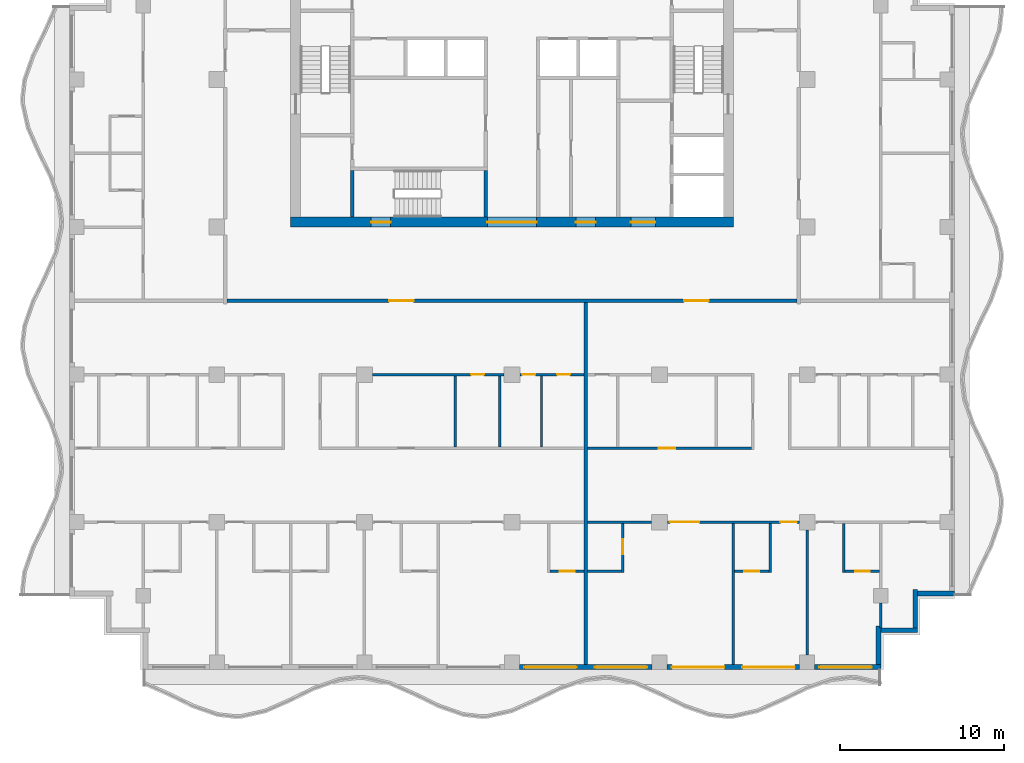
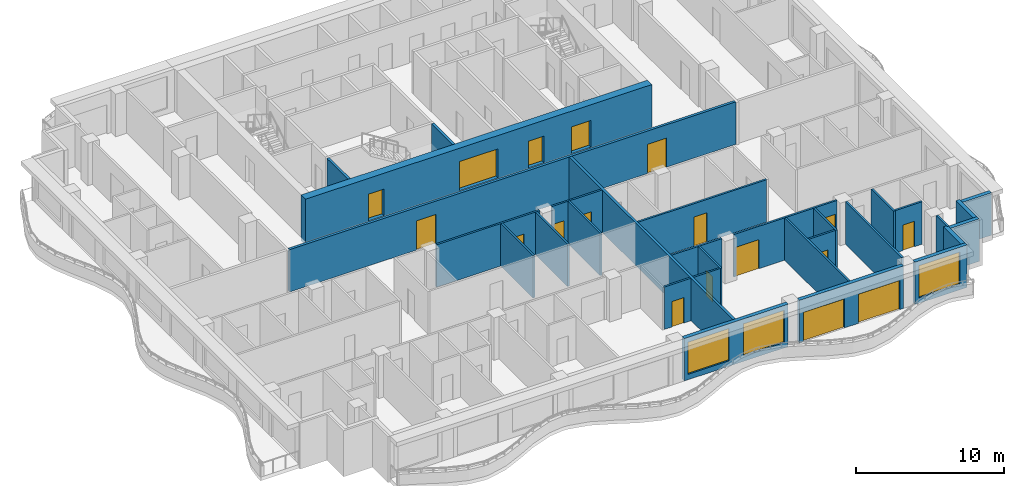
# One storey, part 3 of 11: 30 walls, 18 doors, 3 windows, 21 openings.
"""IFC4 building model written with IfcOpenShell, lengths in metres."""

from ifc_helpers import new_model, si_unit, direction, frame, frame_2d, origin, place, context, subcontext, project, spatial, rectangle, extrude, material, layer, layer_set, type_object, element, fill, save


model = new_model("IFC4")

# Units and contexts
model_context = context("Model", 3, precision=1e-05, world=origin(), true_north=direction((0.0, 1.0)))
body_context = subcontext(model_context, "Body", "Model", "MODEL_VIEW")
ifc_project = project(units=[si_unit("LENGTHUNIT", "METRE"), si_unit("AREAUNIT", "SQUARE_METRE"), si_unit("VOLUMEUNIT", "CUBIC_METRE"), si_unit("PLANEANGLEUNIT", "RADIAN"), si_unit("MASSUNIT", "GRAM", prefix="KILO")], contexts=[model_context])

# Site, building, storey
site_placement = place(None, origin())
site = spatial("IfcSite", under=ifc_project, at=site_placement, CompositionType="ELEMENT")
building_placement = place(site_placement, origin())
building = spatial("IfcBuilding", under=site, at=building_placement, Name="Orbiselva Terraces", CompositionType="ELEMENT")
storey_placement = place(building_placement, frame((0.0, 0.0, 269.2)))
storey = spatial("IfcBuildingStorey", under=building, at=storey_placement, Name="L68", CompositionType="ELEMENT", Elevation=269.2)

# Wall, openings, doors
ifc_material_1 = material(Name="Concrete C80/95", Category="concrete")
ifc_layer_1 = layer(ifc_material_1, 0.6)
ifc_layer_set_1 = layer_set([ifc_layer_1], Name="Concrete C80/95")
wall_type_1 = type_object("IfcWallType", Name="CORE WALL 600", PredefinedType="SHEAR", material=ifc_layer_set_1)
wall_1_placement = place(storey_placement, frame((-13.5, 4.8, -0.3), z_axis=(0.0, 0.0, 1.0), x_axis=(1.0, 0.0, 0.0)))
wall_1 = element("IfcWall", 1, at=wall_1_placement, inside=storey, type_object=wall_type_1, Name="Core wall L68 south", PredefinedType="SHEAR", context=body_context, shape_type="SweptSolid", body=[
    extrude(rectangle(XDim=27.0, YDim=0.6, at=frame_2d((13.5, 0.0))), origin(), (0.0, 0.0, 1.0), 3.8),
])
opening_1_placement = place(wall_1_placement, frame((12.0, 0.0, 0.3)))
opening_1 = element("IfcOpeningElement", 2, at=opening_1_placement, cuts=wall_1, Name="Opening DL3000", PredefinedType="OPENING", context=body_context, shape_type="SweptSolid", body=[
    extrude(rectangle(XDim=3.0, YDim=2.4, at=frame_2d((1.5, 1.2))), frame((0.0, 0.31, 0.0), z_axis=(0.0, -1.0, 0.0), x_axis=(1.0, 0.0, 0.0)), (0.0, 0.0, 1.0), 0.62),
])
opening_2_placement = place(wall_1_placement, frame((4.9, 0.0, 0.3)))
opening_2 = element("IfcOpeningElement", 3, at=opening_2_placement, cuts=wall_1, Name="Opening DS1200", PredefinedType="OPENING", context=body_context, shape_type="SweptSolid", body=[
    extrude(rectangle(XDim=1.2, YDim=2.2, at=frame_2d((0.6, 1.1))), frame((0.0, 0.31, 0.0), z_axis=(0.0, -1.0, 0.0), x_axis=(1.0, 0.0, 0.0)), (0.0, 0.0, 1.0), 0.62),
])
opening_3_placement = place(wall_1_placement, frame((20.75, 0.0, 0.3)))
opening_3 = element("IfcOpeningElement", 4, at=opening_3_placement, cuts=wall_1, Name="Opening DF1500", PredefinedType="OPENING", context=body_context, shape_type="SweptSolid", body=[
    extrude(rectangle(XDim=1.5, YDim=2.2, at=frame_2d((0.75, 1.1))), frame((0.0, 0.31, 0.0), z_axis=(0.0, -1.0, 0.0), x_axis=(1.0, 0.0, 0.0)), (0.0, 0.0, 1.0), 0.62),
])
opening_4_placement = place(wall_1_placement, frame((17.4, 0.0, 0.3)))
opening_4 = element("IfcOpeningElement", 5, at=opening_4_placement, cuts=wall_1, Name="Opening DV1200", PredefinedType="OPENING", context=body_context, shape_type="SweptSolid", body=[
    extrude(rectangle(XDim=1.2, YDim=2.2, at=frame_2d((0.6, 1.1))), frame((0.0, 0.31, 0.0), z_axis=(0.0, -1.0, 0.0), x_axis=(1.0, 0.0, 0.0)), (0.0, 0.0, 1.0), 0.62),
])
ifc_material_2 = material(Name="Steel fire door", Category="steel")
door_type_1 = type_object("IfcDoorType", Name="FFL DOOR 1500", OperationType="DOUBLE_DOOR_SINGLE_SWING", PredefinedType="DOOR", material=ifc_material_2)
door_1_placement = place(opening_3_placement, frame((1.5, 0.0, 0.0), z_axis=(0.0, 0.0, 1.0), x_axis=(-1.0, 0.0, 0.0)))
door_1 = element("IfcDoor", 6, at=door_1_placement, inside=storey, type_object=door_type_1, Name="L68 FIRE-FIGHTING LOBBY door", OperationType="DOUBLE_DOOR_SINGLE_SWING", OverallHeight=2.2, OverallWidth=1.5, PredefinedType="DOOR", context=body_context, shape_type="SweptSolid", body=[
    extrude(rectangle(XDim=1.5, YDim=2.2, at=frame_2d((0.75, 1.1))), frame((0.0, 0.025, 0.0), z_axis=(0.0, -1.0, 0.0), x_axis=(1.0, 0.0, 0.0)), (0.0, 0.0, 1.0), 0.05),
])
fill(opening_3, door_1)
door_type_2 = type_object("IfcDoorType", Name="LOBBY DOOR 3000", OperationType="DOUBLE_DOOR_SINGLE_SWING", PredefinedType="DOOR", material=ifc_material_2)
door_2_placement = place(opening_1_placement, frame((3.0, 0.0, 0.0), z_axis=(0.0, 0.0, 1.0), x_axis=(-1.0, 0.0, 0.0)))
door_2 = element("IfcDoor", 7, at=door_2_placement, inside=storey, type_object=door_type_2, Name="L68 LIFT LOBBY door", OperationType="DOUBLE_DOOR_SINGLE_SWING", OverallHeight=2.4, OverallWidth=3.0, PredefinedType="DOOR", context=body_context, shape_type="SweptSolid", body=[
    extrude(rectangle(XDim=3.0, YDim=2.4, at=frame_2d((1.5, 1.2))), frame((0.0, 0.025, 0.0), z_axis=(0.0, -1.0, 0.0), x_axis=(1.0, 0.0, 0.0)), (0.0, 0.0, 1.0), 0.05),
])
fill(opening_1, door_2)
door_type_3 = type_object("IfcDoorType", Name="SERVICE DOOR 1200", OperationType="NOTDEFINED", PredefinedType="DOOR", material=ifc_material_2)
door_3_placement = place(opening_4_placement, frame((1.2, 0.0, 0.0), z_axis=(0.0, 0.0, 1.0), x_axis=(-1.0, 0.0, 0.0)))
door_3 = element("IfcDoor", 8, at=door_3_placement, inside=storey, type_object=door_type_3, Name="L68 SERVICE ROOM door", OperationType="SINGLE_SWING_RIGHT", OverallHeight=2.2, OverallWidth=1.2, PredefinedType="DOOR", context=body_context, shape_type="SweptSolid", body=[
    extrude(rectangle(XDim=1.2, YDim=2.2, at=frame_2d((0.6, 1.1))), frame((0.0, 0.025, 0.0), z_axis=(0.0, -1.0, 0.0), x_axis=(1.0, 0.0, 0.0)), (0.0, 0.0, 1.0), 0.05),
])
fill(opening_4, door_3)
door_type_4 = type_object("IfcDoorType", Name="STAIR DOOR 1200", OperationType="NOTDEFINED", PredefinedType="DOOR", material=ifc_material_2)
door_4_placement = place(opening_2_placement, frame((1.2, 0.0, 0.0), z_axis=(0.0, 0.0, 1.0), x_axis=(-1.0, 0.0, 0.0)))
door_4 = element("IfcDoor", 9, at=door_4_placement, inside=storey, type_object=door_type_4, Name="L68 EXIT STAIR S3 door", OperationType="SINGLE_SWING_LEFT", OverallHeight=2.2, OverallWidth=1.2, PredefinedType="DOOR", context=body_context, shape_type="SweptSolid", body=[
    extrude(rectangle(XDim=1.2, YDim=2.2, at=frame_2d((0.6, 1.1))), frame((0.0, 0.025, 0.0), z_axis=(0.0, -1.0, 0.0), x_axis=(1.0, 0.0, 0.0)), (0.0, 0.0, 1.0), 0.05),
])
fill(opening_2, door_4)

# Walls
ifc_material_3 = material(Name="Concrete C60/75", Category="concrete")
ifc_layer_2 = layer(ifc_material_3, 0.2)
ifc_layer_set_2 = layer_set([ifc_layer_2], Name="Concrete C60/75")
wall_type_2 = type_object("IfcWallType", Name="CORE-WALL-SHEAR-200", PredefinedType="SHEAR", material=ifc_layer_set_2)
for number, where, z_axis, x_axis, name in (
    (10, (-9.75, 5.1, 0.0), (0.0, 0.0, 1.0), (0.0, 1.0, 0.0), "L68 core wall 03"),
    (11, (-1.6, 5.1, 0.0), (0.0, 0.0, 1.0), (0.0, 1.0, 0.0), "L68 core wall 18"),
):
    element("IfcWall", number, at=place(storey_placement, frame(where, z_axis=z_axis, x_axis=x_axis)), inside=storey, type_object=wall_type_2, Name=name, PredefinedType="SHEAR", context=body_context, shape_type="SweptSolid", body=[
        extrude(rectangle(XDim=2.85, YDim=0.2, at=frame_2d((1.425, 0.0))), origin(), (0.0, 0.0, 1.0), 3.5),
    ])

# Wall, openings, windows
ifc_material_4 = material(Name="Terracotta cladding on masonry backing", Category="masonry")
ifc_layer_3 = layer(ifc_material_4, 0.3)
ifc_layer_set_3 = layer_set([ifc_layer_3], Name="Terracotta cladding on masonry backing")
wall_type_3 = type_object("IfcWallType", Name="ENV-WALL-TERRACOTTA-300", PredefinedType="SOLIDWALL", material=ifc_layer_set_3)
wall_2_placement = place(storey_placement, frame((8.55, -22.35, 0.0), z_axis=(0.0, 0.0, 1.0), x_axis=(-1.0, 0.0, 0.0)))
wall_2 = element("IfcWall", 12, at=wall_2_placement, inside=storey, type_object=wall_type_3, Name="Facade wall L68 S", PredefinedType="SOLIDWALL", context=body_context, shape_type="SweptSolid", body=[
    extrude(rectangle(XDim=8.1, YDim=0.3, at=frame_2d((4.05, 0.0))), origin(), (0.0, 0.0, 1.0), 3.5),
])
opening_5_placement = place(wall_2_placement, frame((4.6, 0.0, 0.45)))
opening_5 = element("IfcOpeningElement", 13, at=opening_5_placement, cuts=wall_2, Name="Opening WN17", PredefinedType="OPENING", context=body_context, shape_type="SweptSolid", body=[
    extrude(rectangle(XDim=3.2, YDim=2.65, at=frame_2d((1.6, 1.325))), frame((0.0, 0.16, 0.0), z_axis=(0.0, -1.0, 0.0), x_axis=(1.0, 0.0, 0.0)), (0.0, 0.0, 1.0), 0.32),
])
opening_6_placement = place(wall_2_placement, frame((0.3, 0.0, 0.45)))
opening_6 = element("IfcOpeningElement", 14, at=opening_6_placement, cuts=wall_2, Name="Opening WN17", PredefinedType="OPENING", context=body_context, shape_type="SweptSolid", body=[
    extrude(rectangle(XDim=3.2, YDim=2.65, at=frame_2d((1.6, 1.325))), frame((0.0, 0.16, 0.0), z_axis=(0.0, -1.0, 0.0), x_axis=(1.0, 0.0, 0.0)), (0.0, 0.0, 1.0), 0.32),
])
ifc_material_5 = material(Name="Clear low-e glazing in aluminium frame", Category="aluminium")
window_type = type_object("IfcWindowType", Name="WINDOW 3200 X 2650 S450", PartitioningType="TRIPLE_PANEL_VERTICAL", PredefinedType="WINDOW", material=ifc_material_5)
window_1_placement = place(opening_5_placement, origin())
window_1 = element("IfcWindow", 15, at=window_1_placement, inside=storey, type_object=window_type, Name="Window L68 S", OverallHeight=2.65, OverallWidth=3.2, PartitioningType="SINGLE_PANEL", PredefinedType="WINDOW", context=body_context, shape_type="SweptSolid", body=[
    extrude(rectangle(XDim=3.2, YDim=2.65, at=frame_2d((1.6, 1.325))), frame((0.0, 0.03, 0.0), z_axis=(0.0, -1.0, 0.0), x_axis=(1.0, 0.0, 0.0)), (0.0, 0.0, 1.0), 0.06),
])
fill(opening_5, window_1)
window_2_placement = place(opening_6_placement, origin())
window_2 = element("IfcWindow", 16, at=window_2_placement, inside=storey, type_object=window_type, Name="Window L68 S", OverallHeight=2.65, OverallWidth=3.2, PartitioningType="SINGLE_PANEL", PredefinedType="WINDOW", context=body_context, shape_type="SweptSolid", body=[
    extrude(rectangle(XDim=3.2, YDim=2.65, at=frame_2d((1.6, 1.325))), frame((0.0, 0.03, 0.0), z_axis=(0.0, -1.0, 0.0), x_axis=(1.0, 0.0, 0.0)), (0.0, 0.0, 1.0), 0.06),
])
fill(opening_6, window_2)

# Wall, openings, doors
wall_3_placement = place(storey_placement, frame((17.55, -22.35, 0.0), z_axis=(0.0, 0.0, 1.0), x_axis=(-1.0, 0.0, 0.0)))
wall_3 = element("IfcWall", 17, at=wall_3_placement, inside=storey, type_object=wall_type_3, Name="Facade wall L68 S", PredefinedType="SOLIDWALL", context=body_context, shape_type="SweptSolid", body=[
    extrude(rectangle(XDim=8.1, YDim=0.3, at=frame_2d((4.05, 0.0))), origin(), (0.0, 0.0, 1.0), 3.5),
])
opening_7_placement = place(wall_3_placement, frame((4.6, 0.0, 0.0)))
opening_7 = element("IfcOpeningElement", 18, at=opening_7_placement, cuts=wall_3, Name="Opening Z5-C-E16", PredefinedType="OPENING", context=body_context, shape_type="SweptSolid", body=[
    extrude(rectangle(XDim=3.2, YDim=2.4, at=frame_2d((1.6, 1.2))), frame((0.0, 0.16, 0.0), z_axis=(0.0, -1.0, 0.0), x_axis=(1.0, 0.0, 0.0)), (0.0, 0.0, 1.0), 0.32),
])
opening_8_placement = place(wall_3_placement, frame((0.3, 0.0, 0.0)))
opening_8 = element("IfcOpeningElement", 19, at=opening_8_placement, cuts=wall_3, Name="Opening Z5-C-E04", PredefinedType="OPENING", context=body_context, shape_type="SweptSolid", body=[
    extrude(rectangle(XDim=3.2, YDim=2.4, at=frame_2d((1.6, 1.2))), frame((0.0, 0.16, 0.0), z_axis=(0.0, -1.0, 0.0), x_axis=(1.0, 0.0, 0.0)), (0.0, 0.0, 1.0), 0.32),
])
door_type_5 = type_object("IfcDoorType", Name="BALCONY DOOR 3200 X 2400", OperationType="DOUBLE_DOOR_SLIDING", PredefinedType="DOOR", material=ifc_material_5)
door_5_placement = place(opening_7_placement, origin())
door_5 = element("IfcDoor", 20, at=door_5_placement, inside=storey, type_object=door_type_5, Name="Z5-C-E16", OperationType="SINGLE_SWING_LEFT", OverallHeight=2.4, OverallWidth=3.2, PredefinedType="DOOR", context=body_context, shape_type="SweptSolid", body=[
    extrude(rectangle(XDim=3.2, YDim=2.4, at=frame_2d((1.6, 1.2))), frame((0.0, 0.025, 0.0), z_axis=(0.0, -1.0, 0.0), x_axis=(1.0, 0.0, 0.0)), (0.0, 0.0, 1.0), 0.05),
])
fill(opening_7, door_5)
door_6_placement = place(opening_8_placement, origin())
door_6 = element("IfcDoor", 21, at=door_6_placement, inside=storey, type_object=door_type_5, Name="Z5-C-E04", OperationType="SINGLE_SWING_LEFT", OverallHeight=2.4, OverallWidth=3.2, PredefinedType="DOOR", context=body_context, shape_type="SweptSolid", body=[
    extrude(rectangle(XDim=3.2, YDim=2.4, at=frame_2d((1.6, 1.2))), frame((0.0, 0.025, 0.0), z_axis=(0.0, -1.0, 0.0), x_axis=(1.0, 0.0, 0.0)), (0.0, 0.0, 1.0), 0.05),
])
fill(opening_8, door_6)

# Wall, opening, window
wall_4_placement = place(storey_placement, frame((22.5, -22.35, 0.0), z_axis=(0.0, 0.0, 1.0), x_axis=(-1.0, 0.0, 0.0)))
wall_4 = element("IfcWall", 22, at=wall_4_placement, inside=storey, type_object=wall_type_3, Name="Facade wall L68 S", PredefinedType="SOLIDWALL", context=body_context, shape_type="SweptSolid", body=[
    extrude(rectangle(XDim=4.05, YDim=0.3, at=frame_2d((2.025, 0.0))), origin(), (0.0, 0.0, 1.0), 3.5),
])
opening_9_placement = place(wall_4_placement, frame((0.55, 0.0, 0.45)))
opening_9 = element("IfcOpeningElement", 23, at=opening_9_placement, cuts=wall_4, Name="Opening WN17", PredefinedType="OPENING", context=body_context, shape_type="SweptSolid", body=[
    extrude(rectangle(XDim=3.2, YDim=2.65, at=frame_2d((1.6, 1.325))), frame((0.0, 0.16, 0.0), z_axis=(0.0, -1.0, 0.0), x_axis=(1.0, 0.0, 0.0)), (0.0, 0.0, 1.0), 0.32),
])
window_3_placement = place(opening_9_placement, origin())
window_3 = element("IfcWindow", 24, at=window_3_placement, inside=storey, type_object=window_type, Name="Window L68 S", OverallHeight=2.65, OverallWidth=3.2, PartitioningType="SINGLE_PANEL", PredefinedType="WINDOW", context=body_context, shape_type="SweptSolid", body=[
    extrude(rectangle(XDim=3.2, YDim=2.65, at=frame_2d((1.6, 1.325))), frame((0.0, 0.03, 0.0), z_axis=(0.0, -1.0, 0.0), x_axis=(1.0, 0.0, 0.0)), (0.0, 0.0, 1.0), 0.06),
])
fill(opening_9, window_3)

# Walls
wall_5_placement = place(storey_placement, frame((22.35, -19.85, 0.0), z_axis=(0.0, 0.0, 1.0), x_axis=(0.0, -1.0, 0.0)))
element("IfcWall", 25, at=wall_5_placement, inside=storey, type_object=wall_type_3, Name="Facade wall L68 STEP", PredefinedType="SOLIDWALL", context=body_context, shape_type="SweptSolid", body=[
    extrude(rectangle(XDim=2.35, YDim=0.3, at=frame_2d((1.175, 0.0))), origin(), (0.0, 0.0, 1.0), 3.5),
])
wall_6_placement = place(storey_placement, frame((24.75, -20.1, 0.0), z_axis=(0.0, 0.0, 1.0), x_axis=(-1.0, 0.0, 0.0)))
element("IfcWall", 26, at=wall_6_placement, inside=storey, type_object=wall_type_3, Name="Facade wall L68 STEP", PredefinedType="SOLIDWALL", context=body_context, shape_type="SweptSolid", body=[
    extrude(rectangle(XDim=2.25, YDim=0.3, at=frame_2d((1.125, 0.0))), origin(), (0.0, 0.0, 1.0), 3.5),
])
wall_7_placement = place(storey_placement, frame((24.6, -17.6, 0.0), z_axis=(0.0, 0.0, 1.0), x_axis=(0.0, -1.0, 0.0)))
element("IfcWall", 27, at=wall_7_placement, inside=storey, type_object=wall_type_3, Name="Facade wall L68 STEP", PredefinedType="SOLIDWALL", context=body_context, shape_type="SweptSolid", body=[
    extrude(rectangle(XDim=2.35, YDim=0.3, at=frame_2d((1.175, 0.0))), origin(), (0.0, 0.0, 1.0), 3.5),
])
wall_8_placement = place(storey_placement, frame((27.0, -17.85, 0.0), z_axis=(0.0, 0.0, 1.0), x_axis=(-1.0, 0.0, 0.0)))
element("IfcWall", 28, at=wall_8_placement, inside=storey, type_object=wall_type_3, Name="Facade wall L68 STEP", PredefinedType="SOLIDWALL", context=body_context, shape_type="SweptSolid", body=[
    extrude(rectangle(XDim=2.25, YDim=0.3, at=frame_2d((1.125, 0.0))), origin(), (0.0, 0.0, 1.0), 3.5),
])

# Wall, openings, doors
ifc_material_6 = material(Name="Plasterboard on steel stud partition", Category="steel")
ifc_layer_4 = layer(ifc_material_6, 0.2)
ifc_layer_set_4 = layer_set([ifc_layer_4], Name="Plasterboard on steel stud partition")
wall_type_4 = type_object("IfcWallType", Name="UNIT-ENTRANCE-WALL-200", PredefinedType="PARTITIONING", material=ifc_layer_set_4)
wall_9_placement = place(storey_placement, frame((17.4, 0.0, 0.0), z_axis=(0.0, 0.0, 1.0), x_axis=(-1.0, 0.0, 0.0)))
wall_9 = element("IfcWall", 29, at=wall_9_placement, inside=storey, type_object=wall_type_4, Name="PARTITION L68-029", PredefinedType="PARTITIONING", context=body_context, shape_type="SweptSolid", body=[
    extrude(rectangle(XDim=34.8, YDim=0.2, at=frame_2d((17.4, 0.0))), origin(), (0.0, 0.0, 1.0), 3.5),
])
opening_10_placement = place(wall_9_placement, frame((23.4, 0.0, 0.0)))
opening_10 = element("IfcOpeningElement", 30, at=opening_10_placement, cuts=wall_9, Name="Opening Z5-C-15", PredefinedType="OPENING", context=body_context, shape_type="SweptSolid", body=[
    extrude(rectangle(XDim=1.5, YDim=2.4, at=frame_2d((0.75, 1.2))), frame((0.0, 0.11, 0.0), z_axis=(0.0, -1.0, 0.0), x_axis=(1.0, 0.0, 0.0)), (0.0, 0.0, 1.0), 0.22),
])
opening_11_placement = place(wall_9_placement, frame((5.4, 0.0, 0.0)))
opening_11 = element("IfcOpeningElement", 31, at=opening_11_placement, cuts=wall_9, Name="Opening Z5-C-37", PredefinedType="OPENING", context=body_context, shape_type="SweptSolid", body=[
    extrude(rectangle(XDim=1.5, YDim=2.4, at=frame_2d((0.75, 1.2))), frame((0.0, 0.11, 0.0), z_axis=(0.0, -1.0, 0.0), x_axis=(1.0, 0.0, 0.0)), (0.0, 0.0, 1.0), 0.22),
])
ifc_material_7 = material(Name="Painted timber door leaf", Category="wood")
door_type_6 = type_object("IfcDoorType", Name="ENTRANCE DOUBLE DOOR 1500", OperationType="NOTDEFINED", PredefinedType="DOOR", material=ifc_material_7)
door_7_placement = place(opening_10_placement, origin())
door_7 = element("IfcDoor", 32, at=door_7_placement, inside=storey, type_object=door_type_6, Name="Z5-C-15", OperationType="DOUBLE_DOOR_SINGLE_SWING", OverallHeight=2.4, OverallWidth=1.5, PredefinedType="DOOR", context=body_context, shape_type="SweptSolid", body=[
    extrude(rectangle(XDim=1.5, YDim=2.4, at=frame_2d((0.75, 1.2))), frame((0.0, 0.025, 0.0), z_axis=(0.0, -1.0, 0.0), x_axis=(1.0, 0.0, 0.0)), (0.0, 0.0, 1.0), 0.05),
])
fill(opening_10, door_7)
door_8_placement = place(opening_11_placement, origin())
door_8 = element("IfcDoor", 33, at=door_8_placement, inside=storey, type_object=door_type_6, Name="Z5-C-37", OperationType="DOUBLE_DOOR_SINGLE_SWING", OverallHeight=2.4, OverallWidth=1.5, PredefinedType="DOOR", context=body_context, shape_type="SweptSolid", body=[
    extrude(rectangle(XDim=1.5, YDim=2.4, at=frame_2d((0.75, 1.2))), frame((0.0, 0.025, 0.0), z_axis=(0.0, -1.0, 0.0), x_axis=(1.0, 0.0, 0.0)), (0.0, 0.0, 1.0), 0.05),
])
fill(opening_11, door_8)

# Wall, opening, door
ifc_layer_5 = layer(ifc_material_6, 0.15)
ifc_layer_set_5 = layer_set([ifc_layer_5], Name="Plasterboard on steel stud partition")
wall_type_5 = type_object("IfcWallType", Name="UNIT-PARTITION-150", PredefinedType="PARTITIONING", material=ifc_layer_set_5)
wall_10_placement = place(storey_placement, frame((2.325, -16.5, 0.0), z_axis=(0.0, 0.0, 1.0), x_axis=(1.0, 0.0, 0.0)))
wall_10 = element("IfcWall", 34, at=wall_10_placement, inside=storey, type_object=wall_type_5, Name="PARTITION L68-005", PredefinedType="PARTITIONING", context=body_context, shape_type="SweptSolid", body=[
    extrude(rectangle(XDim=2.075, YDim=0.15, at=frame_2d((1.0375, 0.0))), origin(), (0.0, 0.0, 1.0), 3.5),
])
opening_12_placement = place(wall_10_placement, frame((0.6, 0.0, 0.0)))
opening_12 = element("IfcOpeningElement", 35, at=opening_12_placement, cuts=wall_10, Name="Opening Z5-C-27", PredefinedType="OPENING", context=body_context, shape_type="SweptSolid", body=[
    extrude(rectangle(XDim=0.9, YDim=2.1, at=frame_2d((0.45, 1.05))), frame((0.0, 0.085, 0.0), z_axis=(0.0, -1.0, 0.0), x_axis=(1.0, 0.0, 0.0)), (0.0, 0.0, 1.0), 0.17),
])
door_type_7 = type_object("IfcDoorType", Name="BATH DOOR 900", OperationType="NOTDEFINED", PredefinedType="DOOR", material=ifc_material_7)
door_9_placement = place(opening_12_placement, origin())
door_9 = element("IfcDoor", 36, at=door_9_placement, inside=storey, type_object=door_type_7, Name="Z5-C-27", OperationType="SINGLE_SWING_RIGHT", OverallHeight=2.1, OverallWidth=0.9, PredefinedType="DOOR", context=body_context, shape_type="SweptSolid", body=[
    extrude(rectangle(XDim=0.9, YDim=2.1, at=frame_2d((0.45, 1.05))), frame((0.0, 0.025, 0.0), z_axis=(0.0, -1.0, 0.0), x_axis=(1.0, 0.0, 0.0)), (0.0, 0.0, 1.0), 0.05),
])
fill(opening_12, door_9)

# Wall
wall_11_placement = place(storey_placement, frame((4.6, -16.5, 0.0), z_axis=(0.0, 0.0, 1.0), x_axis=(1.0, 0.0, 0.0)))
element("IfcWall", 37, at=wall_11_placement, inside=storey, type_object=wall_type_5, Name="PARTITION L68-006", PredefinedType="PARTITIONING", context=body_context, shape_type="SweptSolid", body=[
    extrude(rectangle(XDim=2.075, YDim=0.15, at=frame_2d((1.0375, 0.0))), origin(), (0.0, 0.0, 1.0), 3.5),
])

# Wall, opening, door
wall_12_placement = place(storey_placement, frame((13.575, -16.5, 0.0), z_axis=(0.0, 0.0, 1.0), x_axis=(1.0, 0.0, 0.0)))
wall_12 = element("IfcWall", 38, at=wall_12_placement, inside=storey, type_object=wall_type_5, Name="PARTITION L68-007", PredefinedType="PARTITIONING", context=body_context, shape_type="SweptSolid", body=[
    extrude(rectangle(XDim=2.1, YDim=0.15, at=frame_2d((1.05, 0.0))), origin(), (0.0, 0.0, 1.0), 3.5),
])
opening_13_placement = place(wall_12_placement, frame((0.6, 0.0, 0.0)))
opening_13 = element("IfcOpeningElement", 39, at=opening_13_placement, cuts=wall_12, Name="Opening Z5-C-48", PredefinedType="OPENING", context=body_context, shape_type="SweptSolid", body=[
    extrude(rectangle(XDim=0.9, YDim=2.1, at=frame_2d((0.45, 1.05))), frame((0.0, 0.085, 0.0), z_axis=(0.0, -1.0, 0.0), x_axis=(1.0, 0.0, 0.0)), (0.0, 0.0, 1.0), 0.17),
])
door_10_placement = place(opening_13_placement, origin())
door_10 = element("IfcDoor", 40, at=door_10_placement, inside=storey, type_object=door_type_7, Name="Z5-C-48", OperationType="SINGLE_SWING_LEFT", OverallHeight=2.1, OverallWidth=0.9, PredefinedType="DOOR", context=body_context, shape_type="SweptSolid", body=[
    extrude(rectangle(XDim=0.9, YDim=2.1, at=frame_2d((0.45, 1.05))), frame((0.0, 0.025, 0.0), z_axis=(0.0, -1.0, 0.0), x_axis=(1.0, 0.0, 0.0)), (0.0, 0.0, 1.0), 0.05),
])
fill(opening_13, door_10)

wall_13_placement = place(storey_placement, frame((20.325, -16.5, 0.0), z_axis=(0.0, 0.0, 1.0), x_axis=(1.0, 0.0, 0.0)))
wall_13 = element("IfcWall", 41, at=wall_13_placement, inside=storey, type_object=wall_type_5, Name="PARTITION L68-008", PredefinedType="PARTITIONING", context=body_context, shape_type="SweptSolid", body=[
    extrude(rectangle(XDim=2.1, YDim=0.15, at=frame_2d((1.05, 0.0))), origin(), (0.0, 0.0, 1.0), 3.5),
])
opening_14_placement = place(wall_13_placement, frame((0.6, 0.0, 0.0)))
opening_14 = element("IfcOpeningElement", 42, at=opening_14_placement, cuts=wall_13, Name="Opening Z5-C-50", PredefinedType="OPENING", context=body_context, shape_type="SweptSolid", body=[
    extrude(rectangle(XDim=0.9, YDim=2.1, at=frame_2d((0.45, 1.05))), frame((0.0, 0.085, 0.0), z_axis=(0.0, -1.0, 0.0), x_axis=(1.0, 0.0, 0.0)), (0.0, 0.0, 1.0), 0.17),
])
door_11_placement = place(opening_14_placement, origin())
door_11 = element("IfcDoor", 43, at=door_11_placement, inside=storey, type_object=door_type_7, Name="Z5-C-50", OperationType="SINGLE_SWING_LEFT", OverallHeight=2.1, OverallWidth=0.9, PredefinedType="DOOR", context=body_context, shape_type="SweptSolid", body=[
    extrude(rectangle(XDim=0.9, YDim=2.1, at=frame_2d((0.45, 1.05))), frame((0.0, 0.025, 0.0), z_axis=(0.0, -1.0, 0.0), x_axis=(1.0, 0.0, 0.0)), (0.0, 0.0, 1.0), 0.05),
])
fill(opening_14, door_11)

# Wall
wall_14_placement = place(storey_placement, frame((4.6, -13.5, 0.0), z_axis=(0.0, 0.0, 1.0), x_axis=(1.0, 0.0, 0.0)))
element("IfcWall", 44, at=wall_14_placement, inside=storey, type_object=wall_type_5, Name="PARTITION L68-013", PredefinedType="PARTITIONING", context=body_context, shape_type="SweptSolid", body=[
    extrude(rectangle(XDim=3.925, YDim=0.15, at=frame_2d((1.9625, 0.0))), origin(), (0.0, 0.0, 1.0), 3.5),
])

# Wall, openings, doors
wall_15_placement = place(storey_placement, frame((17.525, -13.5, 0.0), z_axis=(0.0, 0.0, 1.0), x_axis=(-1.0, 0.0, 0.0)))
wall_15 = element("IfcWall", 45, at=wall_15_placement, inside=storey, type_object=wall_type_5, Name="PARTITION L68-014", PredefinedType="PARTITIONING", context=body_context, shape_type="SweptSolid", body=[
    extrude(rectangle(XDim=8.05, YDim=0.15, at=frame_2d((4.025, 0.0))), origin(), (0.0, 0.0, 1.0), 3.5),
])
opening_15_placement = place(wall_15_placement, frame((6.1, 0.0, 0.0)))
opening_15 = element("IfcOpeningElement", 46, at=opening_15_placement, cuts=wall_15, Name="Opening Z5-C-45", PredefinedType="OPENING", context=body_context, shape_type="SweptSolid", body=[
    extrude(rectangle(XDim=1.8, YDim=2.4, at=frame_2d((0.9, 1.2))), frame((0.0, 0.085, 0.0), z_axis=(0.0, -1.0, 0.0), x_axis=(1.0, 0.0, 0.0)), (0.0, 0.0, 1.0), 0.17),
])
opening_16_placement = place(wall_15_placement, frame((0.15, 0.0, 0.0)))
opening_16 = element("IfcOpeningElement", 47, at=opening_16_placement, cuts=wall_15, Name="Opening Z5-C-47", PredefinedType="OPENING", context=body_context, shape_type="SweptSolid", body=[
    extrude(rectangle(XDim=1.0, YDim=2.4, at=frame_2d((0.5, 1.2))), frame((0.0, 0.085, 0.0), z_axis=(0.0, -1.0, 0.0), x_axis=(1.0, 0.0, 0.0)), (0.0, 0.0, 1.0), 0.17),
])
door_type_8 = type_object("IfcDoorType", Name="DOUBLE DOOR 1800", OperationType="NOTDEFINED", PredefinedType="DOOR", material=ifc_material_7)
door_12_placement = place(opening_15_placement, origin())
door_12 = element("IfcDoor", 48, at=door_12_placement, inside=storey, type_object=door_type_8, Name="Z5-C-45", OperationType="DOUBLE_DOOR_SINGLE_SWING", OverallHeight=2.4, OverallWidth=1.8, PredefinedType="DOOR", context=body_context, shape_type="SweptSolid", body=[
    extrude(rectangle(XDim=1.8, YDim=2.4, at=frame_2d((0.9, 1.2))), frame((0.0, 0.025, 0.0), z_axis=(0.0, -1.0, 0.0), x_axis=(1.0, 0.0, 0.0)), (0.0, 0.0, 1.0), 0.05),
])
fill(opening_15, door_12)
door_type_9 = type_object("IfcDoorType", Name="ROOM DOOR 1000", OperationType="NOTDEFINED", PredefinedType="DOOR", material=ifc_material_7)
door_13_placement = place(opening_16_placement, origin())
door_13 = element("IfcDoor", 49, at=door_13_placement, inside=storey, type_object=door_type_9, Name="Z5-C-47", OperationType="SINGLE_SWING_LEFT", OverallHeight=2.4, OverallWidth=1.0, PredefinedType="DOOR", context=body_context, shape_type="SweptSolid", body=[
    extrude(rectangle(XDim=1.0, YDim=2.4, at=frame_2d((0.5, 1.2))), frame((0.0, 0.025, 0.0), z_axis=(0.0, -1.0, 0.0), x_axis=(1.0, 0.0, 0.0)), (0.0, 0.0, 1.0), 0.05),
])
fill(opening_16, door_13)

# Wall, opening, door
wall_16_placement = place(storey_placement, frame((4.6, -9.0, 0.0), z_axis=(0.0, 0.0, 1.0), x_axis=(1.0, 0.0, 0.0)))
wall_16 = element("IfcWall", 50, at=wall_16_placement, inside=storey, type_object=wall_type_5, Name="PARTITION L68-018", PredefinedType="PARTITIONING", context=body_context, shape_type="SweptSolid", body=[
    extrude(rectangle(XDim=10.025, YDim=0.15, at=frame_2d((5.0125, 0.0))), origin(), (0.0, 0.0, 1.0), 3.5),
])
opening_17_placement = place(wall_16_placement, frame((4.35, 0.0, 0.0)))
opening_17 = element("IfcOpeningElement", 51, at=opening_17_placement, cuts=wall_16, Name="Opening Z5-C-39", PredefinedType="OPENING", context=body_context, shape_type="SweptSolid", body=[
    extrude(rectangle(XDim=1.0, YDim=2.4, at=frame_2d((0.5, 1.2))), frame((0.0, 0.085, 0.0), z_axis=(0.0, -1.0, 0.0), x_axis=(1.0, 0.0, 0.0)), (0.0, 0.0, 1.0), 0.17),
])
door_14_placement = place(opening_17_placement, origin())
door_14 = element("IfcDoor", 52, at=door_14_placement, inside=storey, type_object=door_type_9, Name="Z5-C-39", OperationType="SINGLE_SWING_LEFT", OverallHeight=2.4, OverallWidth=1.0, PredefinedType="DOOR", context=body_context, shape_type="SweptSolid", body=[
    extrude(rectangle(XDim=1.0, YDim=2.4, at=frame_2d((0.5, 1.2))), frame((0.0, 0.025, 0.0), z_axis=(0.0, -1.0, 0.0), x_axis=(1.0, 0.0, 0.0)), (0.0, 0.0, 1.0), 0.05),
])
fill(opening_17, door_14)

wall_17_placement = place(storey_placement, frame((-0.475, -4.5, 0.0), z_axis=(0.0, 0.0, 1.0), x_axis=(-1.0, 0.0, 0.0)))
wall_17 = element("IfcWall", 53, at=wall_17_placement, inside=storey, type_object=wall_type_5, Name="PARTITION L68-023", PredefinedType="PARTITIONING", context=body_context, shape_type="SweptSolid", body=[
    extrude(rectangle(XDim=8.05, YDim=0.15, at=frame_2d((4.025, 0.0))), origin(), (0.0, 0.0, 1.0), 3.5),
])
opening_18_placement = place(wall_17_placement, frame((1.225, 0.0, 0.0)))
opening_18 = element("IfcOpeningElement", 54, at=opening_18_placement, cuts=wall_17, Name="Opening Z5-C-18", PredefinedType="OPENING", context=body_context, shape_type="SweptSolid", body=[
    extrude(rectangle(XDim=0.8, YDim=2.0, at=frame_2d((0.4, 1.0))), frame((0.0, 0.085, 0.0), z_axis=(0.0, -1.0, 0.0), x_axis=(1.0, 0.0, 0.0)), (0.0, 0.0, 1.0), 0.17),
])
door_type_10 = type_object("IfcDoorType", Name="STORE DOOR 800", OperationType="NOTDEFINED", PredefinedType="DOOR", material=ifc_material_7)
door_15_placement = place(opening_18_placement, origin())
door_15 = element("IfcDoor", 55, at=door_15_placement, inside=storey, type_object=door_type_10, Name="Z5-C-18", OperationType="SINGLE_SWING_LEFT", OverallHeight=2.0, OverallWidth=0.8, PredefinedType="DOOR", context=body_context, shape_type="SweptSolid", body=[
    extrude(rectangle(XDim=0.8, YDim=2.0, at=frame_2d((0.4, 1.0))), frame((0.0, 0.025, 0.0), z_axis=(0.0, -1.0, 0.0), x_axis=(1.0, 0.0, 0.0)), (0.0, 0.0, 1.0), 0.05),
])
fill(opening_18, door_15)

# Wall, openings, doors
wall_18_placement = place(storey_placement, frame((4.4, -4.5, 0.0), z_axis=(0.0, 0.0, 1.0), x_axis=(-1.0, 0.0, 0.0)))
wall_18 = element("IfcWall", 56, at=wall_18_placement, inside=storey, type_object=wall_type_5, Name="PARTITION L68-024", PredefinedType="PARTITIONING", context=body_context, shape_type="SweptSolid", body=[
    extrude(rectangle(XDim=3.925, YDim=0.15, at=frame_2d((1.9625, 0.0))), origin(), (0.0, 0.0, 1.0), 3.5),
])
opening_19_placement = place(wall_18_placement, frame((0.85, 0.0, 0.0)))
opening_19 = element("IfcOpeningElement", 57, at=opening_19_placement, cuts=wall_18, Name="Opening Z5-C-16", PredefinedType="OPENING", context=body_context, shape_type="SweptSolid", body=[
    extrude(rectangle(XDim=0.8, YDim=2.0, at=frame_2d((0.4, 1.0))), frame((0.0, 0.085, 0.0), z_axis=(0.0, -1.0, 0.0), x_axis=(1.0, 0.0, 0.0)), (0.0, 0.0, 1.0), 0.17),
])
opening_20_placement = place(wall_18_placement, frame((2.975, 0.0, 0.0)))
opening_20 = element("IfcOpeningElement", 58, at=opening_20_placement, cuts=wall_18, Name="Opening Z5-C-17", PredefinedType="OPENING", context=body_context, shape_type="SweptSolid", body=[
    extrude(rectangle(XDim=0.8, YDim=2.0, at=frame_2d((0.4, 1.0))), frame((0.0, 0.085, 0.0), z_axis=(0.0, -1.0, 0.0), x_axis=(1.0, 0.0, 0.0)), (0.0, 0.0, 1.0), 0.17),
])
door_16_placement = place(opening_19_placement, origin())
door_16 = element("IfcDoor", 59, at=door_16_placement, inside=storey, type_object=door_type_10, Name="Z5-C-16", OperationType="SINGLE_SWING_LEFT", OverallHeight=2.0, OverallWidth=0.8, PredefinedType="DOOR", context=body_context, shape_type="SweptSolid", body=[
    extrude(rectangle(XDim=0.8, YDim=2.0, at=frame_2d((0.4, 1.0))), frame((0.0, 0.025, 0.0), z_axis=(0.0, -1.0, 0.0), x_axis=(1.0, 0.0, 0.0)), (0.0, 0.0, 1.0), 0.05),
])
fill(opening_19, door_16)
door_17_placement = place(opening_20_placement, origin())
door_17 = element("IfcDoor", 60, at=door_17_placement, inside=storey, type_object=door_type_10, Name="Z5-C-17", OperationType="SINGLE_SWING_RIGHT", OverallHeight=2.0, OverallWidth=0.8, PredefinedType="DOOR", context=body_context, shape_type="SweptSolid", body=[
    extrude(rectangle(XDim=0.8, YDim=2.0, at=frame_2d((0.4, 1.0))), frame((0.0, 0.025, 0.0), z_axis=(0.0, -1.0, 0.0), x_axis=(1.0, 0.0, 0.0)), (0.0, 0.0, 1.0), 0.05),
])
fill(opening_20, door_17)

# Walls
for number, where, z_axis, x_axis, name in (
    (61, (-3.45, -8.925, 0.0), (0.0, 0.0, 1.0), (0.0, 1.0, 0.0), "PARTITION L68-067"),
    (62, (-0.75, -8.925, 0.0), (0.0, 0.0, 1.0), (0.0, 1.0, 0.0), "PARTITION L68-068"),
    (63, (1.8, -8.925, 0.0), (0.0, 0.0, 1.0), (0.0, 1.0, 0.0), "PARTITION L68-069"),
):
    element("IfcWall", number, at=place(storey_placement, frame(where, z_axis=z_axis, x_axis=x_axis)), inside=storey, type_object=wall_type_5, Name=name, PredefinedType="PARTITIONING", context=body_context, shape_type="SweptSolid", body=[
        extrude(rectangle(XDim=4.35, YDim=0.15, at=frame_2d((2.175, 0.0))), origin(), (0.0, 0.0, 1.0), 3.5),
    ])

# Wall, opening, door
wall_19_placement = place(storey_placement, frame((6.75, -16.575, 0.0), z_axis=(0.0, 0.0, 1.0), x_axis=(0.0, 1.0, 0.0)))
wall_19 = element("IfcWall", 64, at=wall_19_placement, inside=storey, type_object=wall_type_5, Name="PARTITION L68-073", PredefinedType="PARTITIONING", context=body_context, shape_type="SweptSolid", body=[
    extrude(rectangle(XDim=3.0, YDim=0.15, at=frame_2d((1.5, 0.0))), origin(), (0.0, 0.0, 1.0), 3.5),
])
opening_21_placement = place(wall_19_placement, frame((1.125, 0.0, 0.0)))
opening_21 = element("IfcOpeningElement", 65, at=opening_21_placement, cuts=wall_19, Name="Opening Z5-C-46", PredefinedType="OPENING", context=body_context, shape_type="SweptSolid", body=[
    extrude(rectangle(XDim=0.9, YDim=2.1, at=frame_2d((0.45, 1.05))), frame((0.0, 0.085, 0.0), z_axis=(0.0, -1.0, 0.0), x_axis=(1.0, 0.0, 0.0)), (0.0, 0.0, 1.0), 0.17),
])
door_18_placement = place(opening_21_placement, origin())
door_18 = element("IfcDoor", 66, at=door_18_placement, inside=storey, type_object=door_type_7, Name="Z5-C-46", OperationType="SINGLE_SWING_RIGHT", OverallHeight=2.1, OverallWidth=0.9, PredefinedType="DOOR", context=body_context, shape_type="SweptSolid", body=[
    extrude(rectangle(XDim=0.9, YDim=2.1, at=frame_2d((0.45, 1.05))), frame((0.0, 0.025, 0.0), z_axis=(0.0, -1.0, 0.0), x_axis=(1.0, 0.0, 0.0)), (0.0, 0.0, 1.0), 0.05),
])
fill(opening_21, door_18)

# Walls
wall_20_placement = place(storey_placement, frame((13.5, -22.2, 0.0), z_axis=(0.0, 0.0, 1.0), x_axis=(0.0, 1.0, 0.0)))
element("IfcWall", 67, at=wall_20_placement, inside=storey, type_object=wall_type_5, Name="PARTITION L68-075", PredefinedType="PARTITIONING", context=body_context, shape_type="SweptSolid", body=[
    extrude(rectangle(XDim=8.625, YDim=0.15, at=frame_2d((4.3125, 0.0))), origin(), (0.0, 0.0, 1.0), 3.5),
])
wall_21_placement = place(storey_placement, frame((15.75, -16.575, 0.0), z_axis=(0.0, 0.0, 1.0), x_axis=(0.0, 1.0, 0.0)))
element("IfcWall", 68, at=wall_21_placement, inside=storey, type_object=wall_type_5, Name="PARTITION L68-077", PredefinedType="PARTITIONING", context=body_context, shape_type="SweptSolid", body=[
    extrude(rectangle(XDim=3.0, YDim=0.15, at=frame_2d((1.5, 0.0))), origin(), (0.0, 0.0, 1.0), 3.5),
])
wall_22_placement = place(storey_placement, frame((18.0, -21.6, 0.0), z_axis=(0.0, 0.0, 1.0), x_axis=(0.0, 1.0, 0.0)))
element("IfcWall", 69, at=wall_22_placement, inside=storey, type_object=wall_type_5, Name="PARTITION L68-083", PredefinedType="PARTITIONING", context=body_context, shape_type="SweptSolid", body=[
    extrude(rectangle(XDim=7.625, YDim=0.15, at=frame_2d((3.8125, 0.0))), origin(), (0.0, 0.0, 1.0), 3.5),
])
wall_23_placement = place(storey_placement, frame((20.25, -16.575, 0.0), z_axis=(0.0, 0.0, 1.0), x_axis=(0.0, 1.0, 0.0)))
element("IfcWall", 70, at=wall_23_placement, inside=storey, type_object=wall_type_5, Name="PARTITION L68-085", PredefinedType="PARTITIONING", context=body_context, shape_type="SweptSolid", body=[
    extrude(rectangle(XDim=3.0, YDim=0.15, at=frame_2d((1.5, 0.0))), origin(), (0.0, 0.0, 1.0), 3.5),
])
wall_24_placement = place(storey_placement, frame((22.5, -19.95, 0.0), z_axis=(0.0, 0.0, 1.0), x_axis=(0.0, 1.0, 0.0)))
element("IfcWall", 71, at=wall_24_placement, inside=storey, type_object=wall_type_5, Name="PARTITION L68-087", PredefinedType="PARTITIONING", context=body_context, shape_type="SweptSolid", body=[
    extrude(rectangle(XDim=1.5, YDim=0.15, at=frame_2d((0.75, 0.0))), origin(), (0.0, 0.0, 1.0), 3.5),
])
ifc_layer_6 = layer(ifc_material_6, 0.2)
ifc_layer_set_6 = layer_set([ifc_layer_6], Name="Plasterboard on steel stud partition")
wall_type_6 = type_object("IfcWallType", Name="UNIT-PARTY-WALL-200", PredefinedType="PARTITIONING", material=ifc_layer_set_6)
wall_25_placement = place(storey_placement, frame((4.5, -22.2, 0.0), z_axis=(0.0, 0.0, 1.0), x_axis=(0.0, 1.0, 0.0)))
element("IfcWall", 72, at=wall_25_placement, inside=storey, type_object=wall_type_6, Name="PARTITION L68-071", PredefinedType="PARTITIONING", context=body_context, shape_type="SweptSolid", body=[
    extrude(rectangle(XDim=22.1, YDim=0.2, at=frame_2d((11.05, 0.0))), origin(), (0.0, 0.0, 1.0), 3.5),
])

save(model, "model.ifc")
